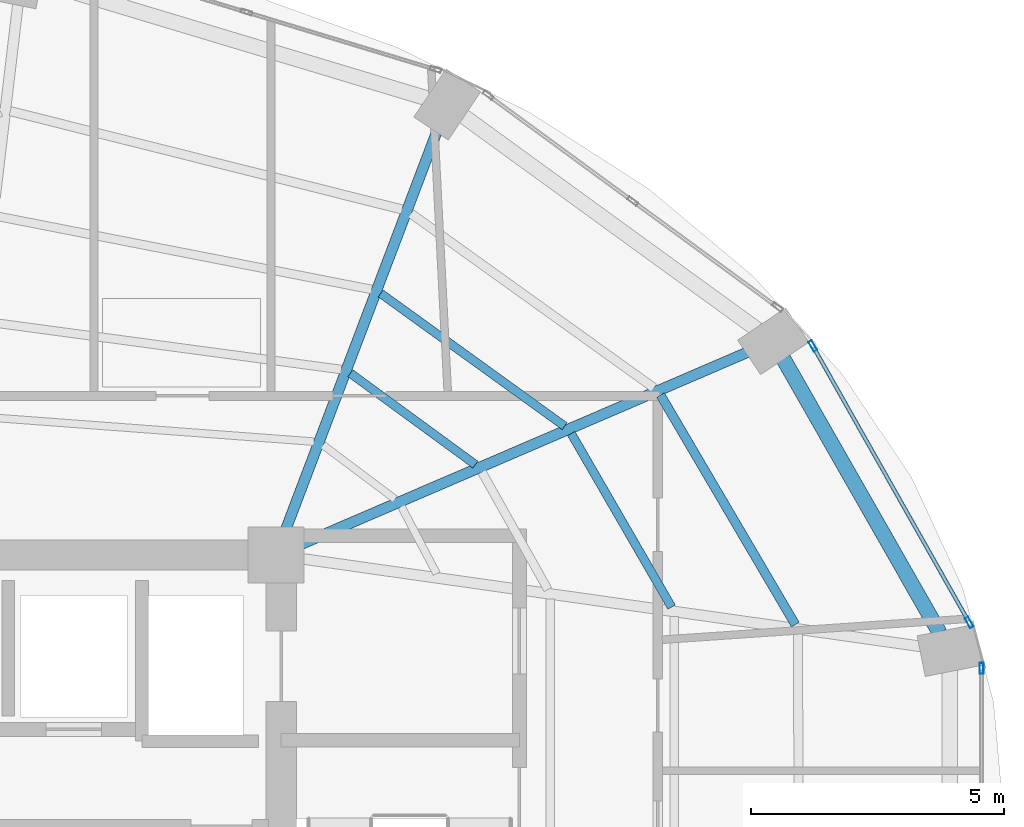
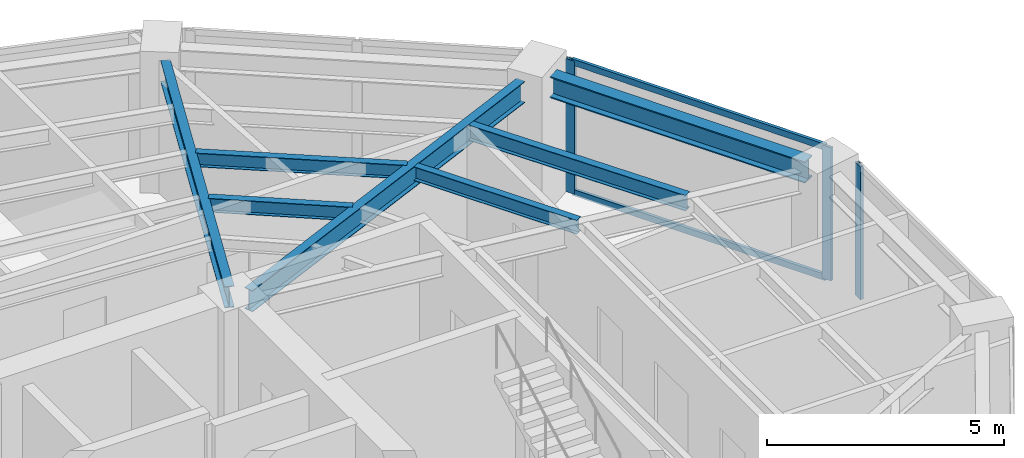
# One storey, part 11 of 20: 7 beams, 5 members, 2 elements without a shape of their own.
"""IFC4 building model written with IfcOpenShell, lengths in metres."""

from ifc_helpers import new_model, si_unit, direction, frame, origin, origin_2d, place, context, subcontext, project, spatial, hollow_rectangle, i_section, extrude, material, layer, layer_set, material_profile, profile_set, type_object, element, aggregate, save


model = new_model("IFC4")

# Units and contexts
model_context = context("Model", 3, precision=1e-05, world=origin(), true_north=direction((0.0, 1.0)))
body_context = subcontext(model_context, "Body", "Model", "MODEL_VIEW")
ifc_project = project(units=[si_unit("LENGTHUNIT", "METRE"), si_unit("AREAUNIT", "SQUARE_METRE"), si_unit("VOLUMEUNIT", "CUBIC_METRE"), si_unit("PLANEANGLEUNIT", "RADIAN"), si_unit("MASSUNIT", "GRAM", prefix="KILO")], contexts=[model_context])

# Site, building, storey
site_placement = place(None, origin())
site = spatial("IfcSite", under=ifc_project, at=site_placement, CompositionType="ELEMENT")
building_placement = place(site_placement, origin())
building = spatial("IfcBuilding", under=site, at=building_placement, Name="Lazwardi Medical Tower", CompositionType="ELEMENT")
storey_placement = place(building_placement, frame((0.0, 0.0, 160.176025390625)))
storey = spatial("IfcBuildingStorey", under=building, at=storey_placement, Name="L41", CompositionType="ELEMENT", Elevation=160.176025390625)

# Beams
ifc_material_1 = material(Name="Steel S355", Category="steel")
ifc_material_profile_1 = material_profile(ifc_material_1, i_section(OverallWidth=0.300048828125, OverallDepth=0.550048828125, WebThickness=0.014892578125, FlangeThickness=0.029052734375, at=origin_2d()), Name="HEB 550")
ifc_profile_set_1 = profile_set([ifc_material_profile_1], Name="Steel S355")
beam_type_1 = type_object("IfcBeamType", Name="BM-RB-Z3", PredefinedType="BEAM", material=ifc_profile_set_1)
beam_1_placement = place(storey_placement, frame((58.727783203125, 34.05908203125, 3.153076171875), z_axis=(-0.495460926326, 0.868630226554, 0.0), x_axis=(-0.868630226554, -0.495460926326, 0.0)))
element("IfcBeam", 1, at=beam_1_placement, inside=storey, type_object=beam_type_1, Name="Ring beam RB-04 B05 L41", PredefinedType="BEAM", context=body_context, shape_type="SweptSolid", body=[
    extrude(i_section(OverallWidth=0.300048828125, OverallDepth=0.550048828125, WebThickness=0.014892578125, FlangeThickness=0.029052734375, at=origin_2d()), origin(), (0.0, 0.0, 1.0), 6.24462890625),
])
ifc_material_profile_2 = material_profile(ifc_material_1, i_section(OverallWidth=0.2099609375, OverallDepth=0.550048828125, WebThickness=0.010986328125, FlangeThickness=0.01708984375, at=origin_2d()), Name="IPE 550")
ifc_profile_set_2 = profile_set([ifc_material_profile_2], Name="Steel S355")
beam_type_2 = type_object("IfcBeamType", Name="BM-RG-W2", PredefinedType="BEAM", material=ifc_profile_set_2)
beam_2_placement = place(storey_placement, frame((54.921142578125, 39.609619140625, 3.153076171875), z_axis=(-0.918608156288, -0.395169653695, 0.0), x_axis=(0.395169653695, -0.918608156288, 0.0)))
element("IfcBeam", 2, at=beam_2_placement, inside=storey, type_object=beam_type_2, Name="Radial girder RG-03 R06 L41", PredefinedType="BEAM", context=body_context, shape_type="SweptSolid", body=[
    extrude(i_section(OverallWidth=0.2099609375, OverallDepth=0.550048828125, WebThickness=0.010986328125, FlangeThickness=0.01708984375, at=origin_2d()), origin(), (0.0, 0.0, 1.0), 9.61181640625),
])
beam_3_placement = place(storey_placement, frame((48.78759765625, 43.99072265625, 3.153076171875), z_axis=(-0.355126771712, -0.934818151307, 0.0), x_axis=(0.934818151307, -0.355126771712, 0.0)))
element("IfcBeam", 3, at=beam_3_placement, inside=storey, type_object=beam_type_2, Name="Radial girder RG-03 R07 L41", PredefinedType="BEAM", context=body_context, shape_type="SweptSolid", body=[
    extrude(i_section(OverallWidth=0.2099609375, OverallDepth=0.550048828125, WebThickness=0.010986328125, FlangeThickness=0.01708984375, at=origin_2d()), origin(), (0.0, 0.0, 1.0), 8.44091796875),
])
ifc_material_profile_3 = material_profile(ifc_material_1, i_section(OverallWidth=0.179931640625, OverallDepth=0.39990234375, WebThickness=0.008544921875, FlangeThickness=0.013427734375, at=origin_2d()), Name="IPE 400")
ifc_profile_set_3 = profile_set([ifc_material_profile_3], Name="Steel S355")
beam_type_3 = type_object("IfcBeamType", Name="BM-SJ-01", PredefinedType="JOIST", material=ifc_profile_set_3)
beam_4_placement = place(storey_placement, frame((55.872314453125, 34.223388671875, 3.22802734375), z_axis=(-0.506420212881, 0.862286824662, 0.0), x_axis=(-0.862286824662, -0.506420212881, 0.0)))
element("IfcBeam", 4, at=beam_4_placement, inside=storey, type_object=beam_type_3, Name="Secondary joist SJ-01 R1 B05 L41", PredefinedType="JOIST", context=body_context, shape_type="SweptSolid", body=[
    extrude(i_section(OverallWidth=0.179931640625, OverallDepth=0.39990234375, WebThickness=0.008544921875, FlangeThickness=0.013427734375, at=origin_2d()), origin(), (0.0, 0.0, 1.0), 5.265380859375),
])
ifc_material_profile_4 = material_profile(ifc_material_1, i_section(OverallWidth=0.169921875, OverallDepth=0.360107421875, WebThickness=0.008056640625, FlangeThickness=0.0126953125, at=origin_2d()), Name="IPE 360")
ifc_profile_set_4 = profile_set([ifc_material_profile_4], Name="Steel S355")
beam_type_4 = type_object("IfcBeamType", Name="BM-SJ-02", PredefinedType="JOIST", material=ifc_profile_set_4)
beam_5_placement = place(storey_placement, frame((53.4248046875, 34.57080078125, 3.248046875), z_axis=(-0.500640648605, 0.865655209055, 0.0), x_axis=(-0.865655209055, -0.500640648605, 0.0)))
element("IfcBeam", 5, at=beam_5_placement, inside=storey, type_object=beam_type_4, Name="Secondary joist SJ-02 R2 B05 L41", PredefinedType="JOIST", context=body_context, shape_type="SweptSolid", body=[
    extrude(i_section(OverallWidth=0.169921875, OverallDepth=0.360107421875, WebThickness=0.008056640625, FlangeThickness=0.0126953125, at=origin_2d()), origin(), (0.0, 0.0, 1.0), 3.965576171875),
])
beam_6_placement = place(storey_placement, frame((51.30810546875, 38.148681640625, 3.248046875), z_axis=(-0.810738039179, 0.585409114917, 0.0), x_axis=(-0.585409114917, -0.810738039179, 0.0)))
element("IfcBeam", 6, at=beam_6_placement, inside=storey, type_object=beam_type_4, Name="Secondary joist SJ-02 R2 B06 L41", PredefinedType="JOIST", context=body_context, shape_type="SweptSolid", body=[
    extrude(i_section(OverallWidth=0.169921875, OverallDepth=0.360107421875, WebThickness=0.008056640625, FlangeThickness=0.0126953125, at=origin_2d()), origin(), (0.0, 0.0, 1.0), 4.48779296875),
])
beam_7_placement = place(storey_placement, frame((49.54248046875, 37.3896484375, 3.248046875), z_axis=(-0.807285959008, 0.590160470033, 0.0), x_axis=(-0.590160470033, -0.807285959008, 0.0)))
element("IfcBeam", 7, at=beam_7_placement, inside=storey, type_object=beam_type_4, Name="Secondary joist SJ-02 R3 B06 L41", PredefinedType="JOIST", context=body_context, shape_type="SweptSolid", body=[
    extrude(i_section(OverallWidth=0.169921875, OverallDepth=0.360107421875, WebThickness=0.008056640625, FlangeThickness=0.0126953125, at=origin_2d()), origin(), (0.0, 0.0, 1.0), 3.06298828125),
])

# Curtain wall, member
ifc_material_2 = material(Name="Anodised bronze aluminium and solar control glazing", Category="aluminium")
ifc_layer = layer(ifc_material_2, 0.195068359375)
ifc_layer_set = layer_set([ifc_layer], Name="Anodised bronze aluminium and solar control glazing")
curtain_wall_type = type_object("IfcCurtainWallType", Name="CW-SYS-03", PredefinedType="NOTDEFINED", material=ifc_layer_set)
curtain_wall_1_placement = place(storey_placement, origin())
curtain_wall_1 = element("IfcCurtainWall", 8, at=curtain_wall_1_placement, inside=storey, type_object=curtain_wall_type, Name="L41 Unitised bronze curtain wall CW-03", PredefinedType="NOTDEFINED")
ifc_material_3 = material(Name="Anodised bronze aluminium", Category="aluminium")
ifc_material_profile_5 = material_profile(ifc_material_3, hollow_rectangle(XDim=0.074951171875, YDim=0.219970703125, WallThickness=0.00390625, at=origin_2d()), Name="ALU-MULLION 220x75x4")
ifc_profile_set_5 = profile_set([ifc_material_profile_5], Name="Anodised bronze aluminium")
member_type_1 = type_object("IfcMemberType", Name="CW-MUL-01", PredefinedType="MULLION", material=ifc_profile_set_5)
member_1_placement = place(storey_placement, frame((59.5576171875, 33.35791015625, 0.0), z_axis=(0.0, 0.0, 1.0), x_axis=(-1.0, 0.0, 0.0)))
member_1 = element("IfcMember", 9, at=member_1_placement, type_object=member_type_1, Name="CW-03 mullion 2", PredefinedType="MULLION", context=body_context, shape_type="SweptSolid", body=[
    extrude(hollow_rectangle(XDim=0.074951171875, YDim=0.219970703125, WallThickness=0.00390625, at=origin_2d()), origin(), (0.0, 0.0, 1.0), 3.427978515625),
])
aggregate(curtain_wall_1, [member_1])

# Curtain wall, members
curtain_wall_2_placement = place(storey_placement, origin())
curtain_wall_2 = element("IfcCurtainWall", 10, at=curtain_wall_2_placement, inside=storey, type_object=curtain_wall_type, Name="L41 Unitised bronze curtain wall CW-03", PredefinedType="NOTDEFINED")
member_2_placement = place(storey_placement, frame((59.31103515625, 34.267333984375, 0.0), z_axis=(0.0, 0.0, 1.0), x_axis=(-0.870418989303, -0.492311672683, 0.0)))
member_2 = element("IfcMember", 11, at=member_2_placement, type_object=member_type_1, Name="CW-03 mullion 1", PredefinedType="MULLION", context=body_context, shape_type="SweptSolid", body=[
    extrude(hollow_rectangle(XDim=0.074951171875, YDim=0.219970703125, WallThickness=0.00390625, at=origin_2d()), origin(), (0.0, 0.0, 1.0), 3.427978515625),
])
member_3_placement = place(storey_placement, frame((56.217529296875, 39.73681640625, 0.0), z_axis=(0.0, 0.0, 1.0), x_axis=(-0.870418989303, -0.492311672683, 0.0)))
member_3 = element("IfcMember", 12, at=member_3_placement, type_object=member_type_1, Name="CW-03 mullion 2", PredefinedType="MULLION", context=body_context, shape_type="SweptSolid", body=[
    extrude(hollow_rectangle(XDim=0.074951171875, YDim=0.219970703125, WallThickness=0.00390625, at=origin_2d()), origin(), (0.0, 0.0, 1.0), 3.427978515625),
])
ifc_material_profile_6 = material_profile(ifc_material_3, hollow_rectangle(XDim=0.074951171875, YDim=0.159912109375, WallThickness=0.00390625, at=origin_2d()), Name="ALU-TRANSOM 160x75x4")
ifc_profile_set_6 = profile_set([ifc_material_profile_6], Name="Anodised bronze aluminium")
member_type_2 = type_object("IfcMemberType", Name="CW-TRN-01", PredefinedType="USERDEFINED", material=ifc_profile_set_6)
member_4_placement = place(storey_placement, frame((59.292724609375, 34.2998046875, 0.037353515625), z_axis=(-0.492306010269, 0.870422191958, 0.0), x_axis=(-0.870422191958, -0.492306010269, 0.0)))
member_4 = element("IfcMember", 13, at=member_4_placement, type_object=member_type_2, Name="CW-03 transom 1.1", ObjectType="TRANSOM", PredefinedType="USERDEFINED", context=body_context, shape_type="SweptSolid", body=[
    extrude(hollow_rectangle(XDim=0.074951171875, YDim=0.159912109375, WallThickness=0.00390625, at=origin_2d()), origin(), (0.0, 0.0, 1.0), 6.208740234375),
])
member_5_placement = place(storey_placement, frame((59.292724609375, 34.2998046875, 3.390380859375), z_axis=(-0.492306010269, 0.870422191958, 0.0), x_axis=(-0.870422191958, -0.492306010269, 0.0)))
member_5 = element("IfcMember", 14, at=member_5_placement, type_object=member_type_2, Name="CW-03 transom 1.2", ObjectType="TRANSOM", PredefinedType="USERDEFINED", context=body_context, shape_type="SweptSolid", body=[
    extrude(hollow_rectangle(XDim=0.074951171875, YDim=0.159912109375, WallThickness=0.00390625, at=origin_2d()), origin(), (0.0, 0.0, 1.0), 6.208740234375),
])
aggregate(curtain_wall_2, [member_2, member_3, member_4, member_5])

save(model, "model.ifc")
